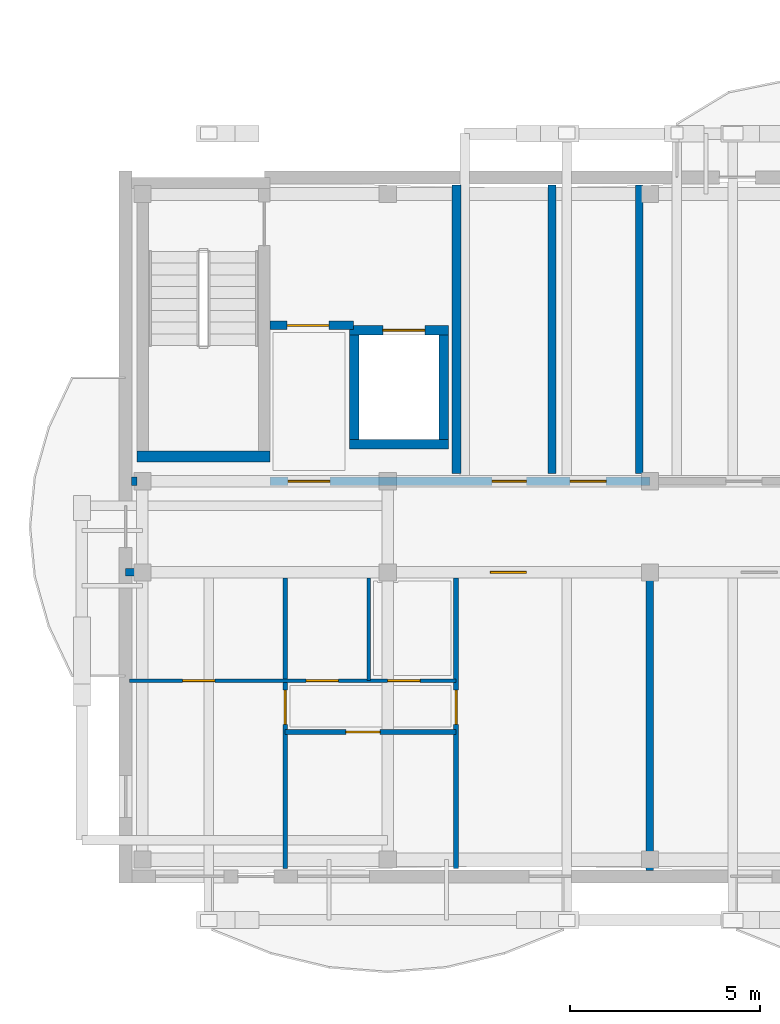
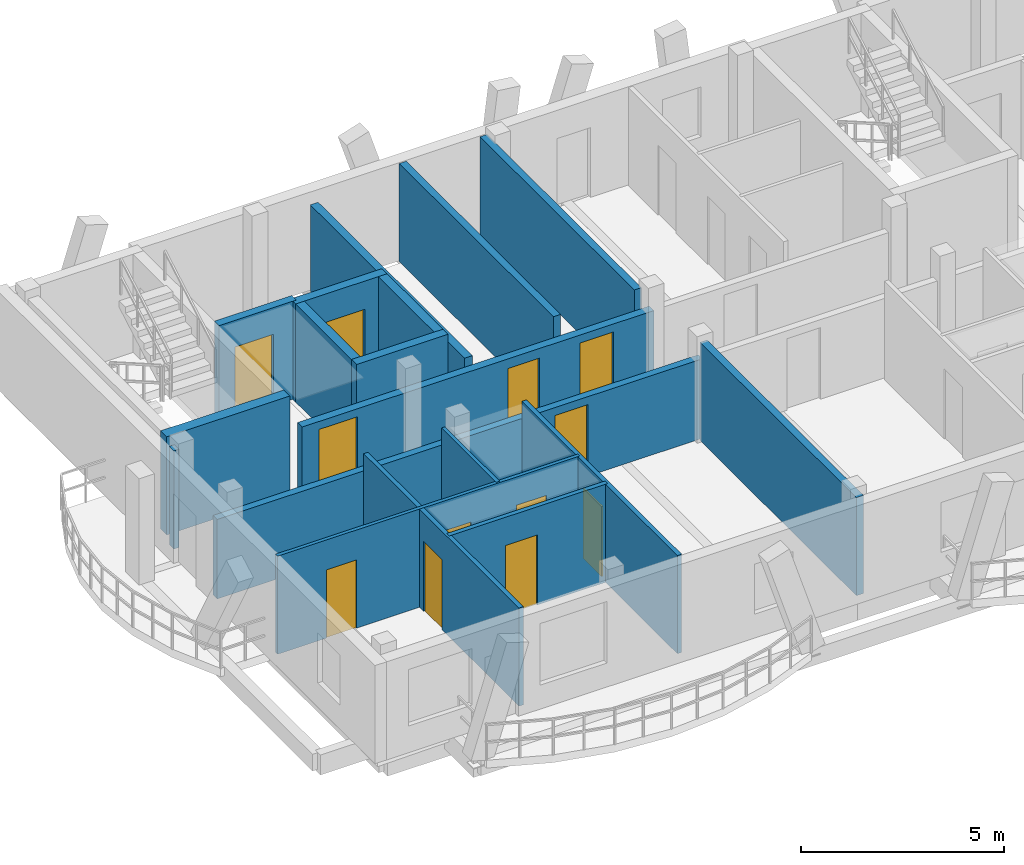
# One storey, part 26 of 44: 18 walls, 12 doors, 12 openings.
"""IFC4 building model written with IfcOpenShell, lengths in metres."""

from ifc_helpers import new_model, si_unit, direction, frame, frame_2d, origin, origin_with_axes, place, context, subcontext, project, spatial, rectangle, extrude, material, layer, layer_set, type_object, element, fill, save


model = new_model("IFC4")

# Units and contexts
model_context = context("Model", 3, precision=1e-05, world=origin(), true_north=direction((0.0, 1.0)))
body_context = subcontext(model_context, "Body", "Model", "MODEL_VIEW")
ifc_project = project(units=[si_unit("LENGTHUNIT", "METRE"), si_unit("AREAUNIT", "SQUARE_METRE"), si_unit("VOLUMEUNIT", "CUBIC_METRE"), si_unit("PLANEANGLEUNIT", "RADIAN"), si_unit("MASSUNIT", "GRAM", prefix="KILO")], contexts=[model_context])

# Site, building, storey
site_placement = place(None, origin())
site = spatial("IfcSite", under=ifc_project, at=site_placement, CompositionType="ELEMENT")
building_placement = place(site_placement, origin())
building = spatial("IfcBuilding", under=site, at=building_placement, Name="Zavelmont Quarter", CompositionType="ELEMENT")
storey_placement = place(building_placement, frame((0.0, 0.0, 20.800048828125)))
storey = spatial("IfcBuildingStorey", under=building, at=storey_placement, Name="L06", CompositionType="ELEMENT", Elevation=20.800048828125)

# Walls
ifc_material_1 = material(Name="Calcium-silicate blockwork and acoustic plaster", Category="masonry")
ifc_layer_1 = layer(ifc_material_1, 0.199951171875)
ifc_layer_set_1 = layer_set([ifc_layer_1], Name="Calcium-silicate blockwork and acoustic plaster")
wall_type_1 = type_object("IfcWallType", Name="IW01", PredefinedType="PARTITIONING", material=ifc_layer_set_1)
for number, where, z_axis, x_axis, name in (
    (1, (137.824951171875, 10.60009765625, 0.0), (0.0, 0.0, 1.0), (0.0, 1.0, 0.0), "L06 Service riser divider wall IW01"),
    (2, (140.1201171875, 10.60009765625, 0.0), (0.0, 0.0, 1.0), (0.0, 1.0, 0.0), "L06 Core service end wall IW01"),
):
    element("IfcWall", number, at=place(storey_placement, frame(where, z_axis=z_axis, x_axis=x_axis)), inside=storey, type_object=wall_type_1, Name=name, PredefinedType="PARTITIONING", context=body_context, shape_type="SweptSolid", body=[
        extrude(rectangle(XDim=7.599853515625, YDim=0.199951171875, at=frame_2d((3.7998046875, 0.0))), origin(), (0.0, 0.0, 1.0), 2.949951171875),
    ])
wall_1_placement = place(storey_placement, frame((140.39990234375, 7.85009765625, 0.0), z_axis=(0.0, 0.0, 1.0), x_axis=(0.0, -1.0, 0.0)))
element("IfcWall", 3, at=wall_1_placement, inside=storey, type_object=wall_type_1, Name="L06 Inter-dwelling compartment wall IW01", PredefinedType="PARTITIONING", context=body_context, shape_type="SweptSolid", body=[
    extrude(rectangle(XDim=7.7001953125, YDim=0.199951171875, at=frame_2d((3.85009765625, 0.0))), origin(), (0.0, 0.0, 1.0), 2.949951171875),
])

# Wall, opening, door
wall_2_placement = place(storey_placement, frame((126.60009765625, 8.0, 0.0), z_axis=(0.0, 0.0, 1.0), x_axis=(1.0, 0.0, 0.0)))
wall_2 = element("IfcWall", 4, at=wall_2_placement, inside=storey, type_object=wall_type_1, Name="L06 Corridor compartment wall IW01", PredefinedType="PARTITIONING", context=body_context, shape_type="SweptSolid", body=[
    extrude(rectangle(XDim=13.7998046875, YDim=0.199951171875, at=frame_2d((6.89990234375, 0.0))), origin(), (0.0, 0.0, 1.0), 2.389892578125),
])
opening_1_placement = place(wall_2_placement, frame((9.60009765625, 0.0, 0.0)))
opening_1 = element("IfcOpeningElement", 5, at=opening_1_placement, cuts=wall_2, Name="Opening DR02", PredefinedType="OPENING", context=body_context, shape_type="SweptSolid", body=[
    extrude(rectangle(XDim=0.949951171875, YDim=2.14990234375, at=frame_2d((0.47509765625, 1.074951171875))), frame((0.0, 0.11181640625, 0.0), z_axis=(0.0, -1.0, 0.0), x_axis=(1.0, 0.0, 0.0)), (0.0, 0.0, 1.0), 0.223876953125),
])
ifc_material_2 = material(Name="Solid-core oak fire leaf in steel frame", Category="steel")
door_type_1 = type_object("IfcDoorType", Name="DR02", OperationType="NOTDEFINED", PredefinedType="DOOR", material=ifc_material_2)
door_1_placement = place(opening_1_placement, frame((0.949951171875, 0.0, 0.0), z_axis=(0.0, 0.0, 1.0), x_axis=(-1.0, 0.0, 0.0)))
door_1 = element("IfcDoor", 6, at=door_1_placement, inside=storey, type_object=door_type_1, Name="L06 door DR02", OperationType="SINGLE_SWING_LEFT", OverallHeight=2.14990234375, OverallWidth=0.949951171875, PredefinedType="DOOR", context=body_context, shape_type="SweptSolid", body=[
    extrude(rectangle(XDim=0.949951171875, YDim=2.14990234375, at=frame_2d((0.47509765625, 1.074951171875))), frame((0.0, 0.02490234375, 0.0), z_axis=(0.0, -1.0, 0.0), x_axis=(1.0, 0.0, 0.0)), (0.0, 0.0, 1.0), 0.050048828125),
])
fill(opening_1, door_1)

# Wall
ifc_material_3 = material(Name="Reinforced masonry fire compartment wall", Category="masonry")
ifc_layer_2 = layer(ifc_material_3, 0.22509765625)
ifc_layer_set_2 = layer_set([ifc_layer_2], Name="Reinforced masonry fire compartment wall")
wall_type_2 = type_object("IfcWallType", Name="IW02", PredefinedType="PARTITIONING", material=ifc_layer_set_2)
wall_3_placement = place(storey_placement, frame((135.31005859375, 10.60009765625, 0.0), z_axis=(0.0, 0.0, 1.0), x_axis=(0.0, 1.0, 0.0)))
element("IfcWall", 7, at=wall_3_placement, inside=storey, type_object=wall_type_2, Name="L06 Firefighting lobby enclosure wall IW02", PredefinedType="PARTITIONING", context=body_context, shape_type="SweptSolid", body=[
    extrude(rectangle(XDim=7.599853515625, YDim=0.22509765625, at=frame_2d((3.7998046875, 0.0))), origin(), (0.0, 0.0, 1.0), 2.58984375),
])

# Wall, opening, door
wall_4_placement = place(storey_placement, frame((130.39990234375, 14.5, 0.0), z_axis=(0.0, 0.0, 1.0), x_axis=(1.0, 0.0, 0.0)))
wall_4 = element("IfcWall", 8, at=wall_4_placement, inside=storey, type_object=wall_type_2, Name="L06 Firefighting lobby threshold wall IW02", PredefinedType="PARTITIONING", context=body_context, shape_type="SweptSolid", body=[
    extrude(rectangle(XDim=2.2001953125, YDim=0.22509765625, at=frame_2d((1.10009765625, 0.0))), origin(), (0.0, 0.0, 1.0), 2.949951171875),
])
opening_2_placement = place(wall_4_placement, frame((0.449951171875, 0.0, 0.0)))
opening_2 = element("IfcOpeningElement", 9, at=opening_2_placement, cuts=wall_4, Name="Opening DR10", PredefinedType="OPENING", context=body_context, shape_type="SweptSolid", body=[
    extrude(rectangle(XDim=1.10009765625, YDim=2.14990234375, at=frame_2d((0.550048828125, 1.074951171875))), frame((0.0, 0.12451171875, 0.0), z_axis=(0.0, -1.0, 0.0), x_axis=(1.0, 0.0, 0.0)), (0.0, 0.0, 1.0), 0.2490234375),
])
ifc_material_4 = material(Name="Painted steel lobby fire door", Category="steel")
door_type_2 = type_object("IfcDoorType", Name="DR10", OperationType="NOTDEFINED", PredefinedType="DOOR", material=ifc_material_4)
door_2_placement = place(opening_2_placement, origin_with_axes())
door_2 = element("IfcDoor", 10, at=door_2_placement, inside=storey, type_object=door_type_2, Name="Firefighting lobby fire door", OperationType="SINGLE_SWING_RIGHT", OverallHeight=2.14990234375, OverallWidth=1.10009765625, PredefinedType="DOOR", context=body_context, shape_type="SweptSolid", body=[
    extrude(rectangle(XDim=1.10009765625, YDim=2.14990234375, at=frame_2d((0.550048828125, 1.074951171875))), frame((0.0, 0.02490234375, 0.0), z_axis=(0.0, -1.0, 0.0), x_axis=(1.0, 0.0, 0.0)), (0.0, 0.0, 1.0), 0.050048828125),
])
fill(opening_2, door_2)

# Wall
wall_5_placement = place(storey_placement, frame((126.75, 10.39990234375, 0.0), z_axis=(0.0, 0.0, 1.0), x_axis=(1.0, 0.0, 0.0)))
element("IfcWall", 11, at=wall_5_placement, inside=storey, type_object=wall_type_2, Name="L06 Core corridor wall IW02", PredefinedType="PARTITIONING", context=body_context, shape_type="SweptSolid", body=[
    extrude(rectangle(XDim=0.14990234375, YDim=0.22509765625, at=frame_2d((0.074951171875, 0.0))), origin(), (0.0, 0.0, 1.0), 2.949951171875),
])

# Wall, openings, doors
wall_6_placement = place(storey_placement, frame((130.39990234375, 10.39990234375, 0.0), z_axis=(0.0, 0.0, 1.0), x_axis=(1.0, 0.0, 0.0)))
wall_6 = element("IfcWall", 12, at=wall_6_placement, inside=storey, type_object=wall_type_2, Name="L06 Core corridor fire wall IW02", PredefinedType="PARTITIONING", context=body_context, shape_type="SweptSolid", body=[
    extrude(rectangle(XDim=10.0, YDim=0.22509765625, at=frame_2d((5.0, 0.0))), origin(), (0.0, 0.0, 1.0), 2.389892578125),
])
opening_3_placement = place(wall_6_placement, frame((0.47509765625, 0.0, 0.0)))
opening_3 = element("IfcOpeningElement", 13, at=opening_3_placement, cuts=wall_6, Name="Opening DR10", PredefinedType="OPENING", context=body_context, shape_type="SweptSolid", body=[
    extrude(rectangle(XDim=1.10009765625, YDim=2.14990234375, at=frame_2d((0.550048828125, 1.074951171875))), frame((0.0, 0.12451171875, 0.0), z_axis=(0.0, -1.0, 0.0), x_axis=(1.0, 0.0, 0.0)), (0.0, 0.0, 1.0), 0.2490234375),
])
opening_4_placement = place(wall_6_placement, frame((5.85009765625, 0.0, 0.0)))
opening_4 = element("IfcOpeningElement", 14, at=opening_4_placement, cuts=wall_6, Name="Opening DR11", PredefinedType="OPENING", context=body_context, shape_type="SweptSolid", body=[
    extrude(rectangle(XDim=0.89990234375, YDim=2.10009765625, at=frame_2d((0.449951171875, 1.050048828125))), frame((0.0, 0.12451171875, 0.0), z_axis=(0.0, -1.0, 0.0), x_axis=(1.0, 0.0, 0.0)), (0.0, 0.0, 1.0), 0.2490234375),
])
opening_5_placement = place(wall_6_placement, frame((7.89990234375, 0.0, 0.0)))
opening_5 = element("IfcOpeningElement", 15, at=opening_5_placement, cuts=wall_6, Name="Opening DR02", PredefinedType="OPENING", context=body_context, shape_type="SweptSolid", body=[
    extrude(rectangle(XDim=0.949951171875, YDim=2.14990234375, at=frame_2d((0.47509765625, 1.074951171875))), frame((0.0, 0.12451171875, 0.0), z_axis=(0.0, -1.0, 0.0), x_axis=(1.0, 0.0, 0.0)), (0.0, 0.0, 1.0), 0.2490234375),
])
door_3_placement = place(opening_5_placement, frame((0.949951171875, 0.0, 0.0), z_axis=(0.0, 0.0, 1.0), x_axis=(-1.0, 0.0, 0.0)))
door_3 = element("IfcDoor", 16, at=door_3_placement, inside=storey, type_object=door_type_1, Name="Auxiliary store corridor door", OperationType="SINGLE_SWING_RIGHT", OverallHeight=2.14990234375, OverallWidth=0.949951171875, PredefinedType="DOOR", context=body_context, shape_type="SweptSolid", body=[
    extrude(rectangle(XDim=0.949951171875, YDim=2.14990234375, at=frame_2d((0.47509765625, 1.074951171875))), frame((0.0, 0.02490234375, 0.0), z_axis=(0.0, -1.0, 0.0), x_axis=(1.0, 0.0, 0.0)), (0.0, 0.0, 1.0), 0.050048828125),
])
fill(opening_5, door_3)
door_4_placement = place(opening_3_placement, origin_with_axes())
door_4 = element("IfcDoor", 17, at=door_4_placement, inside=storey, type_object=door_type_2, Name="Core vestibule fire door", OperationType="SINGLE_SWING_LEFT", OverallHeight=2.14990234375, OverallWidth=1.10009765625, PredefinedType="DOOR", context=body_context, shape_type="SweptSolid", body=[
    extrude(rectangle(XDim=1.10009765625, YDim=2.14990234375, at=frame_2d((0.550048828125, 1.074951171875))), frame((0.0, 0.02490234375, 0.0), z_axis=(0.0, -1.0, 0.0), x_axis=(1.0, 0.0, 0.0)), (0.0, 0.0, 1.0), 0.050048828125),
])
fill(opening_3, door_4)
ifc_material_5 = material(Name="Painted steel service-riser fire door", Category="steel")
door_type_3 = type_object("IfcDoorType", Name="DR11", OperationType="NOTDEFINED", PredefinedType="DOOR", material=ifc_material_5)
door_5_placement = place(opening_4_placement, frame((0.89990234375, 0.0, 0.0), z_axis=(0.0, 0.0, 1.0), x_axis=(-1.0, 0.0, 0.0)))
door_5 = element("IfcDoor", 18, at=door_5_placement, inside=storey, type_object=door_type_3, Name="Service riser fire door", OperationType="SINGLE_SWING_LEFT", OverallHeight=2.10009765625, OverallWidth=0.89990234375, PredefinedType="DOOR", context=body_context, shape_type="SweptSolid", body=[
    extrude(rectangle(XDim=0.89990234375, YDim=2.10009765625, at=frame_2d((0.449951171875, 1.050048828125))), frame((0.0, 0.02490234375, 0.0), z_axis=(0.0, -1.0, 0.0), x_axis=(1.0, 0.0, 0.0)), (0.0, 0.0, 1.0), 0.050048828125),
])
fill(opening_4, door_5)

# Wall, opening, door
ifc_material_6 = material(Name="Double gypsum board on acoustic steel stud", Category="steel")
ifc_layer_3 = layer(ifc_material_6, 0.125)
ifc_layer_set_3 = layer_set([ifc_layer_3], Name="Double gypsum board on acoustic steel stud")
wall_type_3 = type_object("IfcWallType", Name="IW03", PredefinedType="PARTITIONING", material=ifc_layer_set_3)
wall_7_placement = place(storey_placement, frame((135.300048828125, 7.85009765625, 0.0), z_axis=(0.0, 0.0, 1.0), x_axis=(0.0, -1.0, 0.0)))
wall_7 = element("IfcWall", 19, at=wall_7_placement, inside=storey, type_object=wall_type_3, Name="L06 Partition IW03", PredefinedType="PARTITIONING", context=body_context, shape_type="SweptSolid", body=[
    extrude(rectangle(XDim=7.650146484375, YDim=0.125, at=frame_2d((3.8251953125, 0.0))), origin(), (0.0, 0.0, 1.0), 2.949951171875),
])
opening_6_placement = place(wall_7_placement, frame((2.949951171875, 0.0, 0.0)))
opening_6 = element("IfcOpeningElement", 20, at=opening_6_placement, cuts=wall_7, Name="Opening DR05", PredefinedType="OPENING", context=body_context, shape_type="SweptSolid", body=[
    extrude(rectangle(XDim=0.89990234375, YDim=2.10009765625, at=frame_2d((0.449951171875, 1.050048828125))), frame((0.0, 0.074462890625, 0.0), z_axis=(0.0, -1.0, 0.0), x_axis=(1.0, 0.0, 0.0)), (0.0, 0.0, 1.0), 0.14892578125),
])
ifc_material_7 = material(Name="Engineered oak flush interior door")
door_type_4 = type_object("IfcDoorType", Name="DR05", OperationType="NOTDEFINED", PredefinedType="DOOR", material=ifc_material_7)
door_6_placement = place(opening_6_placement, frame((0.89990234375, 0.0, 0.0), z_axis=(0.0, 0.0, 1.0), x_axis=(-1.0, 0.0, 0.0)))
door_6 = element("IfcDoor", 21, at=door_6_placement, inside=storey, type_object=door_type_4, Name="L06 door DR05", OperationType="SINGLE_SWING_LEFT", OverallHeight=2.10009765625, OverallWidth=0.89990234375, PredefinedType="DOOR", context=body_context, shape_type="SweptSolid", body=[
    extrude(rectangle(XDim=0.89990234375, YDim=2.10009765625, at=frame_2d((0.449951171875, 1.050048828125))), frame((0.0, 0.02490234375, 0.0), z_axis=(0.0, -1.0, 0.0), x_axis=(1.0, 0.0, 0.0)), (0.0, 0.0, 1.0), 0.050048828125),
])
fill(opening_6, door_6)

wall_8_placement = place(storey_placement, frame((130.800048828125, 7.85009765625, 0.0), z_axis=(0.0, 0.0, 1.0), x_axis=(0.0, -1.0, 0.0)))
wall_8 = element("IfcWall", 22, at=wall_8_placement, inside=storey, type_object=wall_type_3, Name="L06 Partition IW03", PredefinedType="PARTITIONING", context=body_context, shape_type="SweptSolid", body=[
    extrude(rectangle(XDim=7.650146484375, YDim=0.125, at=frame_2d((3.8251953125, 0.0))), origin(), (0.0, 0.0, 1.0), 2.949951171875),
])
opening_7_placement = place(wall_8_placement, frame((2.949951171875, 0.0, 0.0)))
opening_7 = element("IfcOpeningElement", 23, at=opening_7_placement, cuts=wall_8, Name="Opening DR05", PredefinedType="OPENING", context=body_context, shape_type="SweptSolid", body=[
    extrude(rectangle(XDim=0.89990234375, YDim=2.10009765625, at=frame_2d((0.449951171875, 1.050048828125))), frame((0.0, 0.074462890625, 0.0), z_axis=(0.0, -1.0, 0.0), x_axis=(1.0, 0.0, 0.0)), (0.0, 0.0, 1.0), 0.14892578125),
])
door_7_placement = place(opening_7_placement, origin_with_axes())
door_7 = element("IfcDoor", 24, at=door_7_placement, inside=storey, type_object=door_type_4, Name="L06 door DR05", OperationType="SINGLE_SWING_RIGHT", OverallHeight=2.10009765625, OverallWidth=0.89990234375, PredefinedType="DOOR", context=body_context, shape_type="SweptSolid", body=[
    extrude(rectangle(XDim=0.89990234375, YDim=2.10009765625, at=frame_2d((0.449951171875, 1.050048828125))), frame((0.0, 0.02490234375, 0.0), z_axis=(0.0, -1.0, 0.0), x_axis=(1.0, 0.0, 0.0)), (0.0, 0.0, 1.0), 0.050048828125),
])
fill(opening_7, door_7)

wall_9_placement = place(storey_placement, frame((130.800048828125, 3.800048828125, 0.0), z_axis=(0.0, 0.0, 1.0), x_axis=(1.0, 0.0, 0.0)))
wall_9 = element("IfcWall", 25, at=wall_9_placement, inside=storey, type_object=wall_type_3, Name="L06 Partition IW03", PredefinedType="PARTITIONING", context=body_context, shape_type="SweptSolid", body=[
    extrude(rectangle(XDim=4.5, YDim=0.125, at=frame_2d((2.25, 0.0))), origin(), (0.0, 0.0, 1.0), 2.949951171875),
])
opening_8_placement = place(wall_9_placement, frame((1.60009765625, 0.0, 0.0)))
opening_8 = element("IfcOpeningElement", 26, at=opening_8_placement, cuts=wall_9, Name="Opening DR05", PredefinedType="OPENING", context=body_context, shape_type="SweptSolid", body=[
    extrude(rectangle(XDim=0.89990234375, YDim=2.10009765625, at=frame_2d((0.449951171875, 1.050048828125))), frame((0.0, 0.074462890625, 0.0), z_axis=(0.0, -1.0, 0.0), x_axis=(1.0, 0.0, 0.0)), (0.0, 0.0, 1.0), 0.14892578125),
])
door_8_placement = place(opening_8_placement, origin_with_axes())
door_8 = element("IfcDoor", 27, at=door_8_placement, inside=storey, type_object=door_type_4, Name="L06 door DR05", OperationType="SINGLE_SWING_RIGHT", OverallHeight=2.10009765625, OverallWidth=0.89990234375, PredefinedType="DOOR", context=body_context, shape_type="SweptSolid", body=[
    extrude(rectangle(XDim=0.89990234375, YDim=2.10009765625, at=frame_2d((0.449951171875, 1.050048828125))), frame((0.0, 0.02490234375, 0.0), z_axis=(0.0, -1.0, 0.0), x_axis=(1.0, 0.0, 0.0)), (0.0, 0.0, 1.0), 0.050048828125),
])
fill(opening_8, door_8)

# Wall
ifc_material_8 = material(Name="Moisture-resistant gypsum board on steel stud", Category="steel")
ifc_layer_4 = layer(ifc_material_8, 0.10009765625)
ifc_layer_set_4 = layer_set([ifc_layer_4], Name="Moisture-resistant gypsum board on steel stud")
wall_type_4 = type_object("IfcWallType", Name="IW04", PredefinedType="PARTITIONING", material=ifc_layer_set_4)
wall_10_placement = place(storey_placement, frame((133.0, 7.85009765625, 0.0), z_axis=(0.0, 0.0, 1.0), x_axis=(0.0, -1.0, 0.0)))
element("IfcWall", 28, at=wall_10_placement, inside=storey, type_object=wall_type_4, Name="L06 Partition IW04", PredefinedType="PARTITIONING", context=body_context, shape_type="SweptSolid", body=[
    extrude(rectangle(XDim=2.7001953125, YDim=0.10009765625, at=frame_2d((1.35009765625, 0.0))), origin(), (0.0, 0.0, 1.0), 2.949951171875),
])

# Wall, openings, doors
wall_11_placement = place(storey_placement, frame((126.699951171875, 5.14990234375, 0.0), z_axis=(0.0, 0.0, 1.0), x_axis=(1.0, 0.0, 0.0)))
wall_11 = element("IfcWall", 29, at=wall_11_placement, inside=storey, type_object=wall_type_4, Name="L06 Partition IW04", PredefinedType="PARTITIONING", context=body_context, shape_type="SweptSolid", body=[
    extrude(rectangle(XDim=8.60009765625, YDim=0.10009765625, at=frame_2d((4.300048828125, 0.0))), origin(), (0.0, 0.0, 1.0), 2.949951171875),
])
opening_9_placement = place(wall_11_placement, frame((1.39990234375, 0.0, 0.0)))
opening_9 = element("IfcOpeningElement", 30, at=opening_9_placement, cuts=wall_11, Name="Opening DR06", PredefinedType="OPENING", context=body_context, shape_type="SweptSolid", body=[
    extrude(rectangle(XDim=0.85009765625, YDim=2.050048828125, at=frame_2d((0.425048828125, 1.02490234375))), frame((0.0, 0.06201171875, 0.0), z_axis=(0.0, -1.0, 0.0), x_axis=(1.0, 0.0, 0.0)), (0.0, 0.0, 1.0), 0.1240234375),
])
opening_10_placement = place(wall_11_placement, frame((4.64990234375, 0.0, 0.0)))
opening_10 = element("IfcOpeningElement", 31, at=opening_10_placement, cuts=wall_11, Name="Opening DR06", PredefinedType="OPENING", context=body_context, shape_type="SweptSolid", body=[
    extrude(rectangle(XDim=0.85009765625, YDim=2.050048828125, at=frame_2d((0.425048828125, 1.02490234375))), frame((0.0, 0.06201171875, 0.0), z_axis=(0.0, -1.0, 0.0), x_axis=(1.0, 0.0, 0.0)), (0.0, 0.0, 1.0), 0.1240234375),
])
opening_11_placement = place(wall_11_placement, frame((6.800048828125, 0.0, 0.0)))
opening_11 = element("IfcOpeningElement", 32, at=opening_11_placement, cuts=wall_11, Name="Opening DR16", PredefinedType="OPENING", context=body_context, shape_type="SweptSolid", body=[
    extrude(rectangle(XDim=0.85009765625, YDim=2.10009765625, at=frame_2d((0.425048828125, 1.050048828125))), frame((0.0, 0.06201171875, 0.0), z_axis=(0.0, -1.0, 0.0), x_axis=(1.0, 0.0, 0.0)), (0.0, 0.0, 1.0), 0.1240234375),
])
ifc_material_9 = material(Name="Moisture-resistant painted wet-room door")
door_type_5 = type_object("IfcDoorType", Name="DR06", OperationType="NOTDEFINED", PredefinedType="DOOR", material=ifc_material_9)
door_9_placement = place(opening_9_placement, frame((0.85009765625, 0.0, 0.0), z_axis=(0.0, 0.0, 1.0), x_axis=(-1.0, 0.0, 0.0)))
door_9 = element("IfcDoor", 33, at=door_9_placement, inside=storey, type_object=door_type_5, Name="L06 door DR06", OperationType="SINGLE_SWING_LEFT", OverallHeight=2.050048828125, OverallWidth=0.85009765625, PredefinedType="DOOR", context=body_context, shape_type="SweptSolid", body=[
    extrude(rectangle(XDim=0.85009765625, YDim=2.050048828125, at=frame_2d((0.425048828125, 1.02490234375))), frame((0.0, 0.02490234375, 0.0), z_axis=(0.0, -1.0, 0.0), x_axis=(1.0, 0.0, 0.0)), (0.0, 0.0, 1.0), 0.050048828125),
])
fill(opening_9, door_9)
door_10_placement = place(opening_10_placement, origin_with_axes())
door_10 = element("IfcDoor", 34, at=door_10_placement, inside=storey, type_object=door_type_5, Name="L06 door DR06", OperationType="SINGLE_SWING_RIGHT", OverallHeight=2.050048828125, OverallWidth=0.85009765625, PredefinedType="DOOR", context=body_context, shape_type="SweptSolid", body=[
    extrude(rectangle(XDim=0.85009765625, YDim=2.050048828125, at=frame_2d((0.425048828125, 1.02490234375))), frame((0.0, 0.02490234375, 0.0), z_axis=(0.0, -1.0, 0.0), x_axis=(1.0, 0.0, 0.0)), (0.0, 0.0, 1.0), 0.050048828125),
])
fill(opening_10, door_10)
door_type_6 = type_object("IfcDoorType", Name="DR16", OperationType="NOTDEFINED", PredefinedType="DOOR", material=ifc_material_7)
door_11_placement = place(opening_11_placement, frame((0.85009765625, 0.0, 0.0), z_axis=(0.0, 0.0, 1.0), x_axis=(-1.0, 0.0, 0.0)))
door_11 = element("IfcDoor", 35, at=door_11_placement, inside=storey, type_object=door_type_6, Name="L06 door DR16", OperationType="SINGLE_SWING_LEFT", OverallHeight=2.10009765625, OverallWidth=0.85009765625, PredefinedType="DOOR", context=body_context, shape_type="SweptSolid", body=[
    extrude(rectangle(XDim=0.85009765625, YDim=2.10009765625, at=frame_2d((0.425048828125, 1.050048828125))), frame((0.0, 0.02490234375, 0.0), z_axis=(0.0, -1.0, 0.0), x_axis=(1.0, 0.0, 0.0)), (0.0, 0.0, 1.0), 0.050048828125),
])
fill(opening_11, door_11)

# Wall
ifc_material_10 = material(Name="Concrete C40/50", Category="concrete")
ifc_layer_5 = layer(ifc_material_10, 0.300048828125)
ifc_layer_set_5 = layer_set([ifc_layer_5], Name="Concrete C40/50")
wall_type_5 = type_object("IfcWallType", Name="SW01", PredefinedType="SHEAR", material=ifc_layer_set_5)
wall_12_placement = place(storey_placement, frame((126.89990234375, 11.050048828125, 0.0), z_axis=(0.0, 0.0, 1.0), x_axis=(1.0, 0.0, 0.0)))
element("IfcWall", 36, at=wall_12_placement, inside=storey, type_object=wall_type_5, Name="L06 ST07 corridor shear wall SW01", PredefinedType="SHEAR", context=body_context, shape_type="SweptSolid", body=[
    extrude(rectangle(XDim=3.5, YDim=0.300048828125, at=frame_2d((1.75, 0.0))), origin(), (0.0, 0.0, 1.0), 2.949951171875),
])

# Wall, opening, door
ifc_layer_6 = layer(ifc_material_10, 0.25)
ifc_layer_set_6 = layer_set([ifc_layer_6], Name="Concrete C40/50")
wall_type_6 = type_object("IfcWallType", Name="SW02", PredefinedType="SHEAR", material=ifc_layer_set_6)
wall_13_placement = place(storey_placement, frame((132.5, 14.375, 0.0), z_axis=(0.0, 0.0, 1.0), x_axis=(1.0, 0.0, 0.0)))
wall_13 = element("IfcWall", 37, at=wall_13_placement, inside=storey, type_object=wall_type_6, Name="L06 Lift FL04 landing shaft wall SW02", PredefinedType="SHEAR", context=body_context, shape_type="SweptSolid", body=[
    extrude(rectangle(XDim=2.60009765625, YDim=0.25, at=frame_2d((1.300048828125, 0.0))), origin(), (0.0, 0.0, 1.0), 2.949951171875),
])
opening_12_placement = place(wall_13_placement, frame((0.875, 0.0, 0.0)))
opening_12 = element("IfcOpeningElement", 38, at=opening_12_placement, cuts=wall_13, Name="Opening LD02", PredefinedType="OPENING", context=body_context, shape_type="SweptSolid", body=[
    extrude(rectangle(XDim=1.10009765625, YDim=2.10009765625, at=frame_2d((0.550048828125, 1.050048828125))), frame((0.0, 0.136962890625, 0.0), z_axis=(0.0, -1.0, 0.0), x_axis=(1.0, 0.0, 0.0)), (0.0, 0.0, 1.0), 0.27392578125),
])
ifc_material_11 = material(Name="Brushed stainless-steel firefighting lift landing door", Category="steel")
door_type_7 = type_object("IfcDoorType", Name="LD02", OperationType="SLIDING_TO_LEFT", PredefinedType="DOOR", material=ifc_material_11)
door_12_placement = place(opening_12_placement, origin_with_axes())
door_12 = element("IfcDoor", 39, at=door_12_placement, inside=storey, type_object=door_type_7, Name="Lift FL04 sliding landing door", OperationType="SLIDING_TO_LEFT", OverallHeight=2.10009765625, OverallWidth=1.10009765625, PredefinedType="DOOR", context=body_context, shape_type="SweptSolid", body=[
    extrude(rectangle(XDim=1.10009765625, YDim=2.10009765625, at=frame_2d((0.550048828125, 1.050048828125))), frame((0.0, 0.02490234375, 0.0), z_axis=(0.0, -1.0, 0.0), x_axis=(1.0, 0.0, 0.0)), (0.0, 0.0, 1.0), 0.050048828125),
])
fill(opening_12, door_12)

# Walls
wall_14_placement = place(storey_placement, frame((132.5, 11.375, 0.0), z_axis=(0.0, 0.0, 1.0), x_axis=(1.0, 0.0, 0.0)))
element("IfcWall", 40, at=wall_14_placement, inside=storey, type_object=wall_type_6, Name="L06 Lift FL04 back shaft wall SW02", PredefinedType="SHEAR", context=body_context, shape_type="SweptSolid", body=[
    extrude(rectangle(XDim=2.60009765625, YDim=0.25, at=frame_2d((1.300048828125, 0.0))), origin(), (0.0, 0.0, 1.0), 2.949951171875),
])
for number, where, z_axis, x_axis, name in (
    (41, (132.625, 11.25, 0.0), (0.0, 0.0, 1.0), (0.0, 1.0, 0.0), "L06 Lift FL04 west shaft wall SW02"),
    (42, (134.97509765625, 11.25, 0.0), (0.0, 0.0, 1.0), (0.0, 1.0, 0.0), "L06 Lift FL04 east shaft wall SW02"),
):
    element("IfcWall", number, at=place(storey_placement, frame(where, z_axis=z_axis, x_axis=x_axis)), inside=storey, type_object=wall_type_6, Name=name, PredefinedType="SHEAR", context=body_context, shape_type="SweptSolid", body=[
        extrude(rectangle(XDim=3.25, YDim=0.25, at=frame_2d((1.625, 0.0))), origin(), (0.0, 0.0, 1.0), 2.949951171875),
    ])

save(model, "model.ifc")
